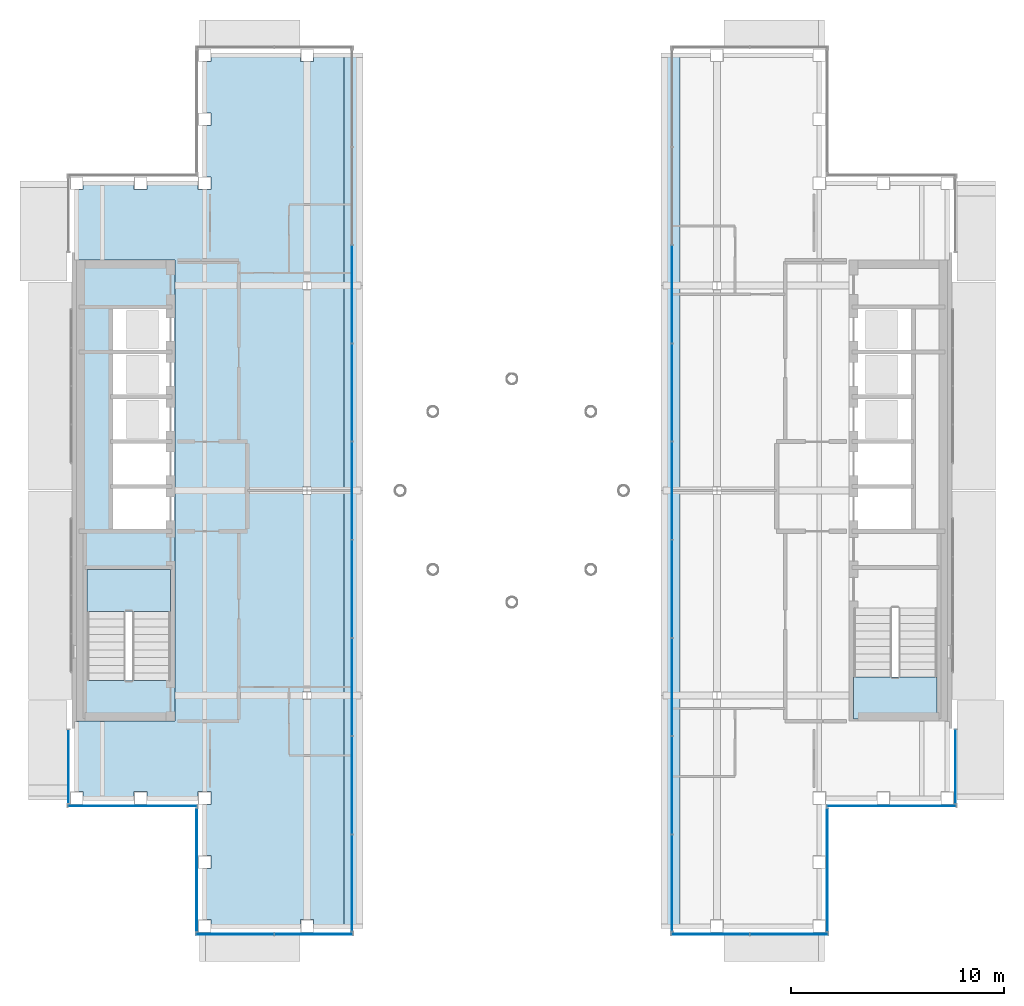
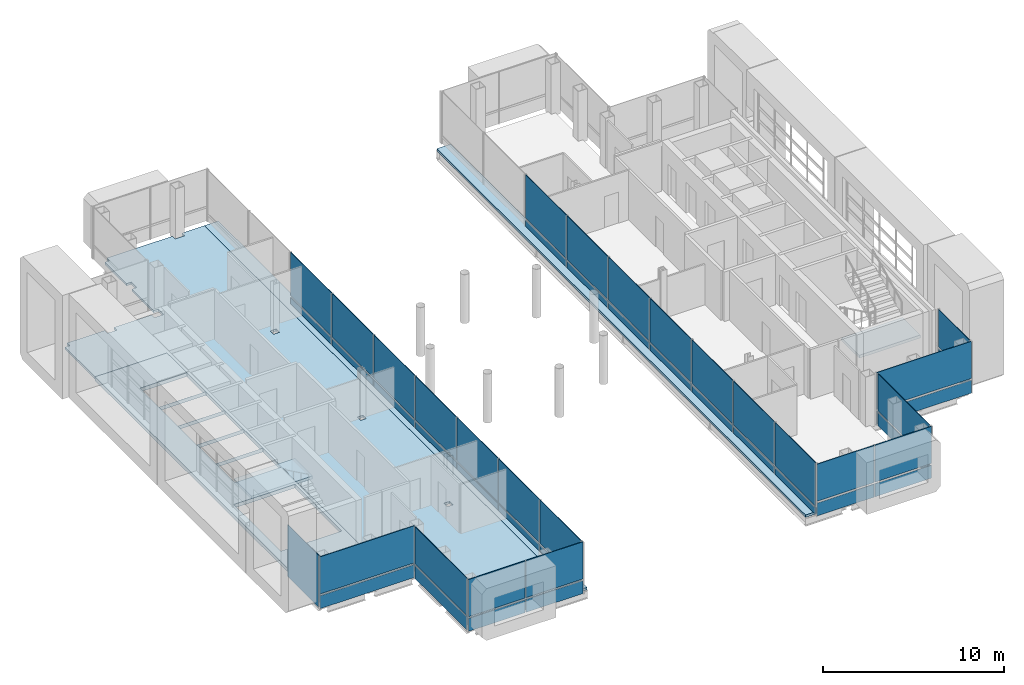
# One storey, part 9 of 21: 47 plates, 6 slabs, 12 elements without a shape of their own.
"""IFC4 building model written with IfcOpenShell, lengths in metres."""

from ifc_helpers import new_model, si_unit, direction, frame, origin, origin_2d, place, context, subcontext, project, spatial, polyline, rectangle, outline, extrude, material, layer, layer_set, type_object, element, aggregate, save


model = new_model("IFC4")

# Units and contexts
model_context = context("Model", 3, precision=1e-05, world=origin(), true_north=direction((0.0, 1.0)))
body_context = subcontext(model_context, "Body", "Model", "MODEL_VIEW")
ifc_project = project(units=[si_unit("LENGTHUNIT", "METRE"), si_unit("AREAUNIT", "SQUARE_METRE"), si_unit("VOLUMEUNIT", "CUBIC_METRE"), si_unit("PLANEANGLEUNIT", "RADIAN"), si_unit("MASSUNIT", "GRAM", prefix="KILO")], contexts=[model_context])

# Site, building, storey
site_placement = place(None, origin())
site = spatial("IfcSite", under=ifc_project, at=site_placement, CompositionType="ELEMENT")
building_placement = place(site_placement, origin())
building = spatial("IfcBuilding", under=site, at=building_placement, Name="Cobrizo Arcos Hotel Tower", CompositionType="ELEMENT")
storey_placement = place(building_placement, frame((0.0, 0.0, 269.0)))
storey = spatial("IfcBuildingStorey", under=building, at=storey_placement, Name="L71", CompositionType="ELEMENT", Elevation=269.0)

# Curtain wall, plates
ifc_material_1 = material(Name="Aluminium 6063-T6 anodised bronze", Category="aluminium")
curtain_wall_type_1 = type_object("IfcCurtainWallType", Name="CW-A guest facade", PredefinedType="NOTDEFINED", material=ifc_material_1)
curtain_wall_1_placement = place(storey_placement, origin())
curtain_wall_1 = element("IfcCurtainWall", 1, at=curtain_wall_1_placement, inside=storey, type_object=curtain_wall_type_1, Name="CW-A L71 S face", PredefinedType="NOTDEFINED")
ifc_material_2 = material(Name="Glass clear laminated low-e", Category="glass")
ifc_layer_1 = layer(ifc_material_2, 0.0400390625)
ifc_layer_set_1 = layer_set([ifc_layer_1], Name="CW-A glass panel")
plate_type_1 = type_object("IfcPlateType", Name="CW-A glass panel", PredefinedType="CURTAIN_PANEL", material=ifc_layer_set_1)
plate_1_placement = place(storey_placement, frame((9.294189453125, -20.77490234375, 0.990234375), z_axis=(0.0, 0.0, 1.0), x_axis=(1.0, 0.0, 0.0)))
plate_1 = element("IfcPlate", 2, at=plate_1_placement, type_object=plate_type_1, Name="CW-A glass panel 2229", PredefinedType="CURTAIN_PANEL", context=body_context, shape_type="SweptSolid", body=[
    extrude(rectangle(XDim=3.6240234375, YDim=0.0400390625, at=origin_2d()), origin(), (0.0, 0.0, 1.0), 2.510009765625),
])
plate_2_placement = place(storey_placement, frame((12.97802734375, -20.77490234375, 0.990234375), z_axis=(0.0, 0.0, 1.0), x_axis=(1.0, 0.0, 0.0)))
plate_2 = element("IfcPlate", 3, at=plate_2_placement, type_object=plate_type_1, Name="CW-A glass panel 2230", PredefinedType="CURTAIN_PANEL", context=body_context, shape_type="SweptSolid", body=[
    extrude(rectangle(XDim=3.6240234375, YDim=0.0400390625, at=origin_2d()), origin(), (0.0, 0.0, 1.0), 2.510009765625),
])

# Curtain wall, plate
curtain_wall_2_placement = place(storey_placement, origin())
curtain_wall_2 = element("IfcCurtainWall", 4, at=curtain_wall_2_placement, inside=storey, type_object=curtain_wall_type_1, Name="CW-A L71 E face", PredefinedType="NOTDEFINED")
plate_3_placement = place(storey_placement, frame((14.77490234375, -17.77490234375, 0.990234375), z_axis=(0.0, 0.0, 1.0), x_axis=(0.0, 1.0, 0.0)))
plate_3 = element("IfcPlate", 5, at=plate_3_placement, type_object=plate_type_1, Name="CW-A glass panel 2231", PredefinedType="CURTAIN_PANEL", context=body_context, shape_type="SweptSolid", body=[
    extrude(rectangle(XDim=5.72998046875, YDim=0.0400390625, at=origin_2d()), origin(), (0.0, 0.0, 1.0), 2.510009765625),
])

curtain_wall_3_placement = place(storey_placement, origin())
curtain_wall_3 = element("IfcCurtainWall", 6, at=curtain_wall_3_placement, inside=storey, type_object=curtain_wall_type_1, Name="CW-A L71 S face", PredefinedType="NOTDEFINED")
plate_4_placement = place(storey_placement, frame((17.77490234375, -14.77490234375, 0.990234375), z_axis=(0.0, 0.0, 1.0), x_axis=(1.0, 0.0, 0.0)))
plate_4 = element("IfcPlate", 7, at=plate_4_placement, type_object=plate_type_1, Name="CW-A glass panel 2232", PredefinedType="CURTAIN_PANEL", context=body_context, shape_type="SweptSolid", body=[
    extrude(rectangle(XDim=6.030029296875, YDim=0.0400390625, at=origin_2d()), origin(), (0.0, 0.0, 1.0), 2.510009765625),
])

curtain_wall_4_placement = place(storey_placement, origin())
curtain_wall_4 = element("IfcCurtainWall", 8, at=curtain_wall_4_placement, inside=storey, type_object=curtain_wall_type_1, Name="CW-A L71 E face", PredefinedType="NOTDEFINED")
plate_5_placement = place(storey_placement, frame((20.77490234375, -12.925048828125, 0.990234375), z_axis=(0.0, 0.0, 1.0), x_axis=(0.0, 1.0, 0.0)))
plate_5 = element("IfcPlate", 9, at=plate_5_placement, type_object=plate_type_1, Name="CW-A glass panel 2233", PredefinedType="CURTAIN_PANEL", context=body_context, shape_type="SweptSolid", body=[
    extrude(rectangle(XDim=3.429931640625, YDim=0.0400390625, at=origin_2d()), origin(), (0.0, 0.0, 1.0), 2.510009765625),
])

# Curtain wall, plates
curtain_wall_5_placement = place(storey_placement, origin())
curtain_wall_5 = element("IfcCurtainWall", 10, at=curtain_wall_5_placement, inside=storey, type_object=curtain_wall_type_1, Name="CW-A L71 S face", PredefinedType="NOTDEFINED")
plate_6_placement = place(storey_placement, frame((-12.97802734375, -20.77490234375, 0.990234375), z_axis=(0.0, 0.0, 1.0), x_axis=(1.0, 0.0, 0.0)))
plate_6 = element("IfcPlate", 11, at=plate_6_placement, type_object=plate_type_1, Name="CW-A glass panel 2237", PredefinedType="CURTAIN_PANEL", context=body_context, shape_type="SweptSolid", body=[
    extrude(rectangle(XDim=3.6240234375, YDim=0.0400390625, at=origin_2d()), origin(), (0.0, 0.0, 1.0), 2.510009765625),
])
plate_7_placement = place(storey_placement, frame((-9.294189453125, -20.77490234375, 0.990234375), z_axis=(0.0, 0.0, 1.0), x_axis=(1.0, 0.0, 0.0)))
plate_7 = element("IfcPlate", 12, at=plate_7_placement, type_object=plate_type_1, Name="CW-A glass panel 2238", PredefinedType="CURTAIN_PANEL", context=body_context, shape_type="SweptSolid", body=[
    extrude(rectangle(XDim=3.6240234375, YDim=0.0400390625, at=origin_2d()), origin(), (0.0, 0.0, 1.0), 2.510009765625),
])

# Curtain wall, plate
curtain_wall_6_placement = place(storey_placement, origin())
curtain_wall_6 = element("IfcCurtainWall", 13, at=curtain_wall_6_placement, inside=storey, type_object=curtain_wall_type_1, Name="CW-A L71 S face", PredefinedType="NOTDEFINED")
plate_8_placement = place(storey_placement, frame((-17.77490234375, -14.77490234375, 0.990234375), z_axis=(0.0, 0.0, 1.0), x_axis=(1.0, 0.0, 0.0)))
plate_8 = element("IfcPlate", 14, at=plate_8_placement, type_object=plate_type_1, Name="CW-A glass panel 2254", PredefinedType="CURTAIN_PANEL", context=body_context, shape_type="SweptSolid", body=[
    extrude(rectangle(XDim=6.030029296875, YDim=0.0400390625, at=origin_2d()), origin(), (0.0, 0.0, 1.0), 2.510009765625),
])

curtain_wall_7_placement = place(storey_placement, origin())
curtain_wall_7 = element("IfcCurtainWall", 15, at=curtain_wall_7_placement, inside=storey, type_object=curtain_wall_type_1, Name="CW-A L71 W face", PredefinedType="NOTDEFINED")
plate_9_placement = place(storey_placement, frame((-14.77490234375, -17.77490234375, 0.990234375), z_axis=(0.0, 0.0, 1.0), x_axis=(0.0, -1.0, 0.0)))
plate_9 = element("IfcPlate", 16, at=plate_9_placement, type_object=plate_type_1, Name="CW-A glass panel 2255", PredefinedType="CURTAIN_PANEL", context=body_context, shape_type="SweptSolid", body=[
    extrude(rectangle(XDim=5.72998046875, YDim=0.0400390625, at=origin_2d()), origin(), (0.0, 0.0, 1.0), 2.510009765625),
])

# Plate
ifc_material_3 = material(Name="Aluminium composite panel pale metal", Category="aluminium")
ifc_layer_2 = layer(ifc_material_3, 0.0400390625)
ifc_layer_set_2 = layer_set([ifc_layer_2], Name="CW-A spandrel panel")
plate_type_2 = type_object("IfcPlateType", Name="CW-A spandrel panel", PredefinedType="CURTAIN_PANEL", material=ifc_layer_set_2)
plate_10_placement = place(storey_placement, frame((9.294189453125, -20.77490234375, 0.0), z_axis=(0.0, 0.0, 1.0), x_axis=(1.0, 0.0, 0.0)))
plate_10 = element("IfcPlate", 17, at=plate_10_placement, type_object=plate_type_2, Name="CW-A spandrel panel 2229", PredefinedType="CURTAIN_PANEL", context=body_context, shape_type="SweptSolid", body=[
    extrude(rectangle(XDim=3.6240234375, YDim=0.0400390625, at=origin_2d()), origin(), (0.0, 0.0, 1.0), 0.8701171875),
])

plate_11_placement = place(storey_placement, frame((12.97802734375, -20.77490234375, 0.0), z_axis=(0.0, 0.0, 1.0), x_axis=(1.0, 0.0, 0.0)))
plate_11 = element("IfcPlate", 18, at=plate_11_placement, type_object=plate_type_2, Name="CW-A spandrel panel 2230", PredefinedType="CURTAIN_PANEL", context=body_context, shape_type="SweptSolid", body=[
    extrude(rectangle(XDim=3.6240234375, YDim=0.0400390625, at=origin_2d()), origin(), (0.0, 0.0, 1.0), 0.8701171875),
])

aggregate(curtain_wall_1, [plate_10, plate_1, plate_11, plate_2])

plate_12_placement = place(storey_placement, frame((14.77490234375, -17.77490234375, 0.0), z_axis=(0.0, 0.0, 1.0), x_axis=(0.0, 1.0, 0.0)))
plate_12 = element("IfcPlate", 19, at=plate_12_placement, type_object=plate_type_2, Name="CW-A spandrel panel 2231", PredefinedType="CURTAIN_PANEL", context=body_context, shape_type="SweptSolid", body=[
    extrude(rectangle(XDim=5.72998046875, YDim=0.0400390625, at=origin_2d()), origin(), (0.0, 0.0, 1.0), 0.8701171875),
])

aggregate(curtain_wall_2, [plate_12, plate_3])

plate_13_placement = place(storey_placement, frame((17.77490234375, -14.77490234375, 0.0), z_axis=(0.0, 0.0, 1.0), x_axis=(1.0, 0.0, 0.0)))
plate_13 = element("IfcPlate", 20, at=plate_13_placement, type_object=plate_type_2, Name="CW-A spandrel panel 2232", PredefinedType="CURTAIN_PANEL", context=body_context, shape_type="SweptSolid", body=[
    extrude(rectangle(XDim=6.030029296875, YDim=0.0400390625, at=origin_2d()), origin(), (0.0, 0.0, 1.0), 0.8701171875),
])

aggregate(curtain_wall_3, [plate_13, plate_4])

plate_14_placement = place(storey_placement, frame((20.77490234375, -12.925048828125, 0.0), z_axis=(0.0, 0.0, 1.0), x_axis=(0.0, 1.0, 0.0)))
plate_14 = element("IfcPlate", 21, at=plate_14_placement, type_object=plate_type_2, Name="CW-A spandrel panel 2233", PredefinedType="CURTAIN_PANEL", context=body_context, shape_type="SweptSolid", body=[
    extrude(rectangle(XDim=3.429931640625, YDim=0.0400390625, at=origin_2d()), origin(), (0.0, 0.0, 1.0), 0.8701171875),
])

aggregate(curtain_wall_4, [plate_14, plate_5])

plate_15_placement = place(storey_placement, frame((-12.97802734375, -20.77490234375, 0.0), z_axis=(0.0, 0.0, 1.0), x_axis=(1.0, 0.0, 0.0)))
plate_15 = element("IfcPlate", 22, at=plate_15_placement, type_object=plate_type_2, Name="CW-A spandrel panel 2237", PredefinedType="CURTAIN_PANEL", context=body_context, shape_type="SweptSolid", body=[
    extrude(rectangle(XDim=3.6240234375, YDim=0.0400390625, at=origin_2d()), origin(), (0.0, 0.0, 1.0), 0.8701171875),
])

plate_16_placement = place(storey_placement, frame((-9.294189453125, -20.77490234375, 0.0), z_axis=(0.0, 0.0, 1.0), x_axis=(1.0, 0.0, 0.0)))
plate_16 = element("IfcPlate", 23, at=plate_16_placement, type_object=plate_type_2, Name="CW-A spandrel panel 2238", PredefinedType="CURTAIN_PANEL", context=body_context, shape_type="SweptSolid", body=[
    extrude(rectangle(XDim=3.6240234375, YDim=0.0400390625, at=origin_2d()), origin(), (0.0, 0.0, 1.0), 0.8701171875),
])

aggregate(curtain_wall_5, [plate_15, plate_6, plate_16, plate_7])

# Curtain wall, plate
curtain_wall_8_placement = place(storey_placement, origin())
curtain_wall_8 = element("IfcCurtainWall", 24, at=curtain_wall_8_placement, inside=storey, type_object=curtain_wall_type_1, Name="CW-A L71 W face", PredefinedType="NOTDEFINED")
plate_17_placement = place(storey_placement, frame((-20.77490234375, -12.925048828125, 0.0), z_axis=(0.0, 0.0, 1.0), x_axis=(0.0, -1.0, 0.0)))
plate_17 = element("IfcPlate", 25, at=plate_17_placement, type_object=plate_type_2, Name="CW-A spandrel panel 2253", PredefinedType="CURTAIN_PANEL", context=body_context, shape_type="SweptSolid", body=[
    extrude(rectangle(XDim=3.429931640625, YDim=0.0400390625, at=origin_2d()), origin(), (0.0, 0.0, 1.0), 3.5),
])
aggregate(curtain_wall_8, [plate_17])

# Plate
plate_18_placement = place(storey_placement, frame((-17.77490234375, -14.77490234375, 0.0), z_axis=(0.0, 0.0, 1.0), x_axis=(1.0, 0.0, 0.0)))
plate_18 = element("IfcPlate", 26, at=plate_18_placement, type_object=plate_type_2, Name="CW-A spandrel panel 2254", PredefinedType="CURTAIN_PANEL", context=body_context, shape_type="SweptSolid", body=[
    extrude(rectangle(XDim=6.030029296875, YDim=0.0400390625, at=origin_2d()), origin(), (0.0, 0.0, 1.0), 0.8701171875),
])

aggregate(curtain_wall_6, [plate_18, plate_8])

plate_19_placement = place(storey_placement, frame((-14.77490234375, -17.77490234375, 0.0), z_axis=(0.0, 0.0, 1.0), x_axis=(0.0, -1.0, 0.0)))
plate_19 = element("IfcPlate", 27, at=plate_19_placement, type_object=plate_type_2, Name="CW-A spandrel panel 2255", PredefinedType="CURTAIN_PANEL", context=body_context, shape_type="SweptSolid", body=[
    extrude(rectangle(XDim=5.72998046875, YDim=0.0400390625, at=origin_2d()), origin(), (0.0, 0.0, 1.0), 0.8701171875),
])

aggregate(curtain_wall_7, [plate_19, plate_9])

# Curtain wall, plates
curtain_wall_type_2 = type_object("IfcCurtainWallType", Name="CW-C arch infill and crown glazing", PredefinedType="NOTDEFINED", material=ifc_material_1)
curtain_wall_9_placement = place(storey_placement, origin())
curtain_wall_9 = element("IfcCurtainWall", 28, at=curtain_wall_9_placement, inside=storey, type_object=curtain_wall_type_2, Name="CW-C L71 W face", PredefinedType="NOTDEFINED")
ifc_layer_3 = layer(ifc_material_2, 0.0400390625)
ifc_layer_set_3 = layer_set([ifc_layer_3], Name="CW-C glass panel")
plate_type_3 = type_object("IfcPlateType", Name="CW-C glass panel", PredefinedType="CURTAIN_PANEL", material=ifc_layer_set_3)
plate_20_placement = place(storey_placement, frame((7.4970703125, 9.199951171875, 0.0), z_axis=(0.0, 0.0, 1.0), x_axis=(0.0, -1.0, 0.0)))
plate_20 = element("IfcPlate", 29, at=plate_20_placement, type_object=plate_type_3, Name="CW-C glass panel 2222", PredefinedType="CURTAIN_PANEL", context=body_context, shape_type="SweptSolid", body=[
    extrude(rectangle(XDim=4.530029296875, YDim=0.0400390625, at=origin_2d()), origin(), (0.0, 0.0, 1.0), 0.429931640625),
])
plate_21_placement = place(storey_placement, frame((7.4970703125, 9.199951171875, 0.56982421875), z_axis=(0.0, 0.0, 1.0), x_axis=(0.0, -1.0, 0.0)))
plate_21 = element("IfcPlate", 30, at=plate_21_placement, type_object=plate_type_3, Name="CW-C glass panel 2222", PredefinedType="CURTAIN_PANEL", context=body_context, shape_type="SweptSolid", body=[
    extrude(rectangle(XDim=4.530029296875, YDim=0.0400390625, at=origin_2d()), origin(), (0.0, 0.0, 1.0), 2.929931640625),
])
plate_22_placement = place(storey_placement, frame((7.4970703125, 4.60009765625, 0.0), z_axis=(0.0, 0.0, 1.0), x_axis=(0.0, -1.0, 0.0)))
plate_22 = element("IfcPlate", 31, at=plate_22_placement, type_object=plate_type_3, Name="CW-C glass panel 2223", PredefinedType="CURTAIN_PANEL", context=body_context, shape_type="SweptSolid", body=[
    extrude(rectangle(XDim=4.530029296875, YDim=0.0400390625, at=origin_2d()), origin(), (0.0, 0.0, 1.0), 0.429931640625),
])
plate_23_placement = place(storey_placement, frame((7.4970703125, 4.60009765625, 0.56982421875), z_axis=(0.0, 0.0, 1.0), x_axis=(0.0, -1.0, 0.0)))
plate_23 = element("IfcPlate", 32, at=plate_23_placement, type_object=plate_type_3, Name="CW-C glass panel 2223", PredefinedType="CURTAIN_PANEL", context=body_context, shape_type="SweptSolid", body=[
    extrude(rectangle(XDim=4.530029296875, YDim=0.0400390625, at=origin_2d()), origin(), (0.0, 0.0, 1.0), 2.929931640625),
])
plate_24_placement = place(storey_placement, frame((7.4970703125, 0.0, 0.0), z_axis=(0.0, 0.0, 1.0), x_axis=(0.0, -1.0, 0.0)))
plate_24 = element("IfcPlate", 33, at=plate_24_placement, type_object=plate_type_3, Name="CW-C glass panel 2224", PredefinedType="CURTAIN_PANEL", context=body_context, shape_type="SweptSolid", body=[
    extrude(rectangle(XDim=4.530029296875, YDim=0.0400390625, at=origin_2d()), origin(), (0.0, 0.0, 1.0), 0.429931640625),
])
plate_25_placement = place(storey_placement, frame((7.4970703125, 0.0, 0.56982421875), z_axis=(0.0, 0.0, 1.0), x_axis=(0.0, -1.0, 0.0)))
plate_25 = element("IfcPlate", 34, at=plate_25_placement, type_object=plate_type_3, Name="CW-C glass panel 2224", PredefinedType="CURTAIN_PANEL", context=body_context, shape_type="SweptSolid", body=[
    extrude(rectangle(XDim=4.530029296875, YDim=0.0400390625, at=origin_2d()), origin(), (0.0, 0.0, 1.0), 2.929931640625),
])
plate_26_placement = place(storey_placement, frame((7.4970703125, -4.60009765625, 0.0), z_axis=(0.0, 0.0, 1.0), x_axis=(0.0, -1.0, 0.0)))
plate_26 = element("IfcPlate", 35, at=plate_26_placement, type_object=plate_type_3, Name="CW-C glass panel 2225", PredefinedType="CURTAIN_PANEL", context=body_context, shape_type="SweptSolid", body=[
    extrude(rectangle(XDim=4.530029296875, YDim=0.0400390625, at=origin_2d()), origin(), (0.0, 0.0, 1.0), 0.429931640625),
])
plate_27_placement = place(storey_placement, frame((7.4970703125, -4.60009765625, 0.56982421875), z_axis=(0.0, 0.0, 1.0), x_axis=(0.0, -1.0, 0.0)))
plate_27 = element("IfcPlate", 36, at=plate_27_placement, type_object=plate_type_3, Name="CW-C glass panel 2225", PredefinedType="CURTAIN_PANEL", context=body_context, shape_type="SweptSolid", body=[
    extrude(rectangle(XDim=4.530029296875, YDim=0.0400390625, at=origin_2d()), origin(), (0.0, 0.0, 1.0), 2.929931640625),
])
plate_28_placement = place(storey_placement, frame((7.4970703125, -9.199951171875, 0.0), z_axis=(0.0, 0.0, 1.0), x_axis=(0.0, -1.0, 0.0)))
plate_28 = element("IfcPlate", 37, at=plate_28_placement, type_object=plate_type_3, Name="CW-C glass panel 2226", PredefinedType="CURTAIN_PANEL", context=body_context, shape_type="SweptSolid", body=[
    extrude(rectangle(XDim=4.530029296875, YDim=0.0400390625, at=origin_2d()), origin(), (0.0, 0.0, 1.0), 0.429931640625),
])
plate_29_placement = place(storey_placement, frame((7.4970703125, -9.199951171875, 0.56982421875), z_axis=(0.0, 0.0, 1.0), x_axis=(0.0, -1.0, 0.0)))
plate_29 = element("IfcPlate", 38, at=plate_29_placement, type_object=plate_type_3, Name="CW-C glass panel 2226", PredefinedType="CURTAIN_PANEL", context=body_context, shape_type="SweptSolid", body=[
    extrude(rectangle(XDim=4.530029296875, YDim=0.0400390625, at=origin_2d()), origin(), (0.0, 0.0, 1.0), 2.929931640625),
])
plate_30_placement = place(storey_placement, frame((7.4970703125, -13.800048828125, 0.0), z_axis=(0.0, 0.0, 1.0), x_axis=(0.0, -1.0, 0.0)))
plate_30 = element("IfcPlate", 39, at=plate_30_placement, type_object=plate_type_3, Name="CW-C glass panel 2227", PredefinedType="CURTAIN_PANEL", context=body_context, shape_type="SweptSolid", body=[
    extrude(rectangle(XDim=4.530029296875, YDim=0.0400390625, at=origin_2d()), origin(), (0.0, 0.0, 1.0), 0.429931640625),
])
plate_31_placement = place(storey_placement, frame((7.4970703125, -13.800048828125, 0.56982421875), z_axis=(0.0, 0.0, 1.0), x_axis=(0.0, -1.0, 0.0)))
plate_31 = element("IfcPlate", 40, at=plate_31_placement, type_object=plate_type_3, Name="CW-C glass panel 2227", PredefinedType="CURTAIN_PANEL", context=body_context, shape_type="SweptSolid", body=[
    extrude(rectangle(XDim=4.530029296875, YDim=0.0400390625, at=origin_2d()), origin(), (0.0, 0.0, 1.0), 2.929931640625),
])
plate_32_placement = place(storey_placement, frame((7.4970703125, -18.382568359375, 0.0), z_axis=(0.0, 0.0, 1.0), x_axis=(0.0, -1.0, 0.0)))
plate_32 = element("IfcPlate", 41, at=plate_32_placement, type_object=plate_type_3, Name="CW-C glass panel 2228", PredefinedType="CURTAIN_PANEL", context=body_context, shape_type="SweptSolid", body=[
    extrude(rectangle(XDim=4.4951171875, YDim=0.0400390625, at=origin_2d()), origin(), (0.0, 0.0, 1.0), 0.429931640625),
])
plate_33_placement = place(storey_placement, frame((7.4970703125, -18.382568359375, 0.56982421875), z_axis=(0.0, 0.0, 1.0), x_axis=(0.0, -1.0, 0.0)))
plate_33 = element("IfcPlate", 42, at=plate_33_placement, type_object=plate_type_3, Name="CW-C glass panel 2228", PredefinedType="CURTAIN_PANEL", context=body_context, shape_type="SweptSolid", body=[
    extrude(rectangle(XDim=4.4951171875, YDim=0.0400390625, at=origin_2d()), origin(), (0.0, 0.0, 1.0), 2.929931640625),
])
aggregate(curtain_wall_9, [plate_20, plate_21, plate_22, plate_23, plate_24, plate_25, plate_26, plate_27, plate_28, plate_29, plate_30, plate_31, plate_32, plate_33])

curtain_wall_10_placement = place(storey_placement, origin())
curtain_wall_10 = element("IfcCurtainWall", 43, at=curtain_wall_10_placement, inside=storey, type_object=curtain_wall_type_2, Name="CW-C L71 E face", PredefinedType="NOTDEFINED")
plate_34_placement = place(storey_placement, frame((-7.4970703125, -18.382568359375, 0.0), z_axis=(0.0, 0.0, 1.0), x_axis=(0.0, 1.0, 0.0)))
plate_34 = element("IfcPlate", 44, at=plate_34_placement, type_object=plate_type_3, Name="CW-C glass panel 2239", PredefinedType="CURTAIN_PANEL", context=body_context, shape_type="SweptSolid", body=[
    extrude(rectangle(XDim=4.4951171875, YDim=0.0400390625, at=origin_2d()), origin(), (0.0, 0.0, 1.0), 0.429931640625),
])
plate_35_placement = place(storey_placement, frame((-7.4970703125, -18.382568359375, 0.56982421875), z_axis=(0.0, 0.0, 1.0), x_axis=(0.0, 1.0, 0.0)))
plate_35 = element("IfcPlate", 45, at=plate_35_placement, type_object=plate_type_3, Name="CW-C glass panel 2239", PredefinedType="CURTAIN_PANEL", context=body_context, shape_type="SweptSolid", body=[
    extrude(rectangle(XDim=4.4951171875, YDim=0.0400390625, at=origin_2d()), origin(), (0.0, 0.0, 1.0), 2.929931640625),
])
plate_36_placement = place(storey_placement, frame((-7.4970703125, -13.800048828125, 0.0), z_axis=(0.0, 0.0, 1.0), x_axis=(0.0, 1.0, 0.0)))
plate_36 = element("IfcPlate", 46, at=plate_36_placement, type_object=plate_type_3, Name="CW-C glass panel 2240", PredefinedType="CURTAIN_PANEL", context=body_context, shape_type="SweptSolid", body=[
    extrude(rectangle(XDim=4.530029296875, YDim=0.0400390625, at=origin_2d()), origin(), (0.0, 0.0, 1.0), 0.429931640625),
])
plate_37_placement = place(storey_placement, frame((-7.4970703125, -13.800048828125, 0.56982421875), z_axis=(0.0, 0.0, 1.0), x_axis=(0.0, 1.0, 0.0)))
plate_37 = element("IfcPlate", 47, at=plate_37_placement, type_object=plate_type_3, Name="CW-C glass panel 2240", PredefinedType="CURTAIN_PANEL", context=body_context, shape_type="SweptSolid", body=[
    extrude(rectangle(XDim=4.530029296875, YDim=0.0400390625, at=origin_2d()), origin(), (0.0, 0.0, 1.0), 2.929931640625),
])
plate_38_placement = place(storey_placement, frame((-7.4970703125, -9.199951171875, 0.0), z_axis=(0.0, 0.0, 1.0), x_axis=(0.0, 1.0, 0.0)))
plate_38 = element("IfcPlate", 48, at=plate_38_placement, type_object=plate_type_3, Name="CW-C glass panel 2241", PredefinedType="CURTAIN_PANEL", context=body_context, shape_type="SweptSolid", body=[
    extrude(rectangle(XDim=4.530029296875, YDim=0.0400390625, at=origin_2d()), origin(), (0.0, 0.0, 1.0), 0.429931640625),
])
plate_39_placement = place(storey_placement, frame((-7.4970703125, -9.199951171875, 0.56982421875), z_axis=(0.0, 0.0, 1.0), x_axis=(0.0, 1.0, 0.0)))
plate_39 = element("IfcPlate", 49, at=plate_39_placement, type_object=plate_type_3, Name="CW-C glass panel 2241", PredefinedType="CURTAIN_PANEL", context=body_context, shape_type="SweptSolid", body=[
    extrude(rectangle(XDim=4.530029296875, YDim=0.0400390625, at=origin_2d()), origin(), (0.0, 0.0, 1.0), 2.929931640625),
])
plate_40_placement = place(storey_placement, frame((-7.4970703125, -4.60009765625, 0.0), z_axis=(0.0, 0.0, 1.0), x_axis=(0.0, 1.0, 0.0)))
plate_40 = element("IfcPlate", 50, at=plate_40_placement, type_object=plate_type_3, Name="CW-C glass panel 2242", PredefinedType="CURTAIN_PANEL", context=body_context, shape_type="SweptSolid", body=[
    extrude(rectangle(XDim=4.530029296875, YDim=0.0400390625, at=origin_2d()), origin(), (0.0, 0.0, 1.0), 0.429931640625),
])
plate_41_placement = place(storey_placement, frame((-7.4970703125, -4.60009765625, 0.56982421875), z_axis=(0.0, 0.0, 1.0), x_axis=(0.0, 1.0, 0.0)))
plate_41 = element("IfcPlate", 51, at=plate_41_placement, type_object=plate_type_3, Name="CW-C glass panel 2242", PredefinedType="CURTAIN_PANEL", context=body_context, shape_type="SweptSolid", body=[
    extrude(rectangle(XDim=4.530029296875, YDim=0.0400390625, at=origin_2d()), origin(), (0.0, 0.0, 1.0), 2.929931640625),
])
plate_42_placement = place(storey_placement, frame((-7.4970703125, 0.0, 0.0), z_axis=(0.0, 0.0, 1.0), x_axis=(0.0, 1.0, 0.0)))
plate_42 = element("IfcPlate", 52, at=plate_42_placement, type_object=plate_type_3, Name="CW-C glass panel 2243", PredefinedType="CURTAIN_PANEL", context=body_context, shape_type="SweptSolid", body=[
    extrude(rectangle(XDim=4.530029296875, YDim=0.0400390625, at=origin_2d()), origin(), (0.0, 0.0, 1.0), 0.429931640625),
])
plate_43_placement = place(storey_placement, frame((-7.4970703125, 0.0, 0.56982421875), z_axis=(0.0, 0.0, 1.0), x_axis=(0.0, 1.0, 0.0)))
plate_43 = element("IfcPlate", 53, at=plate_43_placement, type_object=plate_type_3, Name="CW-C glass panel 2243", PredefinedType="CURTAIN_PANEL", context=body_context, shape_type="SweptSolid", body=[
    extrude(rectangle(XDim=4.530029296875, YDim=0.0400390625, at=origin_2d()), origin(), (0.0, 0.0, 1.0), 2.929931640625),
])
plate_44_placement = place(storey_placement, frame((-7.4970703125, 4.60009765625, 0.0), z_axis=(0.0, 0.0, 1.0), x_axis=(0.0, 1.0, 0.0)))
plate_44 = element("IfcPlate", 54, at=plate_44_placement, type_object=plate_type_3, Name="CW-C glass panel 2244", PredefinedType="CURTAIN_PANEL", context=body_context, shape_type="SweptSolid", body=[
    extrude(rectangle(XDim=4.530029296875, YDim=0.0400390625, at=origin_2d()), origin(), (0.0, 0.0, 1.0), 0.429931640625),
])
plate_45_placement = place(storey_placement, frame((-7.4970703125, 4.60009765625, 0.56982421875), z_axis=(0.0, 0.0, 1.0), x_axis=(0.0, 1.0, 0.0)))
plate_45 = element("IfcPlate", 55, at=plate_45_placement, type_object=plate_type_3, Name="CW-C glass panel 2244", PredefinedType="CURTAIN_PANEL", context=body_context, shape_type="SweptSolid", body=[
    extrude(rectangle(XDim=4.530029296875, YDim=0.0400390625, at=origin_2d()), origin(), (0.0, 0.0, 1.0), 2.929931640625),
])
plate_46_placement = place(storey_placement, frame((-7.4970703125, 9.199951171875, 0.0), z_axis=(0.0, 0.0, 1.0), x_axis=(0.0, 1.0, 0.0)))
plate_46 = element("IfcPlate", 56, at=plate_46_placement, type_object=plate_type_3, Name="CW-C glass panel 2245", PredefinedType="CURTAIN_PANEL", context=body_context, shape_type="SweptSolid", body=[
    extrude(rectangle(XDim=4.530029296875, YDim=0.0400390625, at=origin_2d()), origin(), (0.0, 0.0, 1.0), 0.429931640625),
])
plate_47_placement = place(storey_placement, frame((-7.4970703125, 9.199951171875, 0.56982421875), z_axis=(0.0, 0.0, 1.0), x_axis=(0.0, 1.0, 0.0)))
plate_47 = element("IfcPlate", 57, at=plate_47_placement, type_object=plate_type_3, Name="CW-C glass panel 2245", PredefinedType="CURTAIN_PANEL", context=body_context, shape_type="SweptSolid", body=[
    extrude(rectangle(XDim=4.530029296875, YDim=0.0400390625, at=origin_2d()), origin(), (0.0, 0.0, 1.0), 2.929931640625),
])
aggregate(curtain_wall_10, [plate_34, plate_35, plate_36, plate_37, plate_38, plate_39, plate_40, plate_41, plate_42, plate_43, plate_44, plate_45, plate_46, plate_47])

# Slabs
ifc_material_4 = material(Name="Concrete f'c 35 MPa", Category="concrete")
ifc_layer_4 = layer(ifc_material_4, 0.14990234375)
ifc_layer_set_4 = layer_set([ifc_layer_4], Name="Composite floor slab 150 f'c 35")
slab_type_1 = type_object("IfcSlabType", Name="Composite floor slab 150 f'c 35", PredefinedType="FLOOR", material=ifc_layer_set_4)
slab_1_placement = place(storey_placement, frame((0.0, 0.0, -0.14990234375)))
element("IfcSlab", 58, at=slab_1_placement, inside=storey, type_object=slab_type_1, Name="Floor slab S5, L71, no. 01", PredefinedType="FLOOR", context=body_context, shape_type="SweptSolid", body=[
    extrude(outline(polyline([(-14.39990234375, -17.699951171875), (-14.10009765625, -17.699951171875), (-14.10009765625, -17.10009765625), (-14.39990234375, -17.10009765625), (-14.39990234375, -14.699951171875), (-14.10009765625, -14.699951171875), (-14.10009765625, -14.10009765625), (-14.699951171875, -14.10009765625), (-14.699951171875, -14.39990234375), (-17.10009765625, -14.39990234375), (-17.10009765625, -14.10009765625), (-17.699951171875, -14.10009765625), (-17.699951171875, -14.39990234375), (-20.10009765625, -14.39990234375), (-20.10009765625, -14.10009765625), (-20.39990234375, -14.10009765625), (-20.39990234375, -10.800048828125), (-15.800048828125, -10.800048828125), (-15.800048828125, 10.800048828125), (-20.39990234375, 10.800048828125), (-20.39990234375, 14.10009765625), (-20.10009765625, 14.10009765625), (-20.10009765625, 14.39990234375), (-17.699951171875, 14.39990234375), (-17.699951171875, 14.10009765625), (-17.10009765625, 14.10009765625), (-17.10009765625, 14.39990234375), (-14.699951171875, 14.39990234375), (-14.699951171875, 14.10009765625), (-14.10009765625, 14.10009765625), (-14.10009765625, 14.699951171875), (-14.39990234375, 14.699951171875), (-14.39990234375, 17.10009765625), (-14.10009765625, 17.10009765625), (-14.10009765625, 17.699951171875), (-14.39990234375, 17.699951171875), (-14.39990234375, 20.10009765625), (-14.10009765625, 20.10009765625), (-14.10009765625, 20.39990234375), (-9.89990234375, 20.39990234375), (-9.89990234375, 20.10009765625), (-9.300048828125, 20.10009765625), (-9.300048828125, 20.39990234375), (-7.8720703125, 20.39990234375), (-7.8720703125, -20.39990234375), (-9.300048828125, -20.39990234375), (-9.300048828125, -20.10009765625), (-9.89990234375, -20.10009765625), (-9.89990234375, -20.39990234375), (-14.10009765625, -20.39990234375), (-14.10009765625, -20.10009765625), (-14.39990234375, -20.10009765625), (-14.39990234375, -17.699951171875)]), holes=[polyline([(-9.415771484375, -9.7841796875), (-9.415771484375, -9.415771484375), (-9.7841796875, -9.415771484375), (-9.7841796875, -9.7841796875), (-9.415771484375, -9.7841796875)]), polyline([(-9.415771484375, -0.18408203125), (-9.415771484375, 0.18408203125), (-9.7841796875, 0.18408203125), (-9.7841796875, -0.18408203125), (-9.415771484375, -0.18408203125)]), polyline([(-9.415771484375, 9.415771484375), (-9.415771484375, 9.7841796875), (-9.7841796875, 9.7841796875), (-9.7841796875, 9.415771484375), (-9.415771484375, 9.415771484375)])]), origin(), (0.0, 0.0, 1.0), 0.14990234375),
])
ifc_material_5 = material(Name="Concrete f'c 40 MPa", Category="concrete")
ifc_layer_5 = layer(ifc_material_5, 0.25)
ifc_layer_set_5 = layer_set([ifc_layer_5], Name="RC core floor slab 250 f'c 40")
slab_type_2 = type_object("IfcSlabType", Name="RC core floor slab 250 f'c 40", PredefinedType="FLOOR", material=ifc_layer_set_5)
slab_2_placement = place(storey_placement, frame((0.0, 0.0, -0.25)))
element("IfcSlab", 59, at=slab_2_placement, inside=storey, type_object=slab_type_2, Name="Core floor slab CS7, west core, L71", PredefinedType="FLOOR", context=body_context, shape_type="SweptSolid", body=[
    extrude(outline(polyline([(-20.39990234375, 10.800048828125), (-15.800048828125, 10.800048828125), (-15.800048828125, -10.800048828125), (-20.39990234375, -10.800048828125), (-20.39990234375, 10.800048828125)]), holes=[polyline([(-19.89794921875, -3.701904296875), (-19.89794921875, -8.89794921875), (-16.001953125, -8.89794921875), (-16.001953125, -3.701904296875), (-19.89794921875, -3.701904296875)]), polyline([(-18.798095703125, 0.197998046875), (-18.798095703125, -1.89794921875), (-15.802001953125, -1.89794921875), (-15.802001953125, 0.197998046875), (-18.798095703125, 0.197998046875)]), polyline([(-18.798095703125, 2.298095703125), (-18.798095703125, 0.201904296875), (-15.802001953125, 0.201904296875), (-15.802001953125, 2.298095703125), (-18.798095703125, 2.298095703125)]), polyline([(-18.798095703125, 4.39794921875), (-18.798095703125, 2.302001953125), (-15.802001953125, 2.302001953125), (-15.802001953125, 4.39794921875), (-18.798095703125, 4.39794921875)]), polyline([(-15.802001953125, 6.498046875), (-18.798095703125, 6.498046875), (-18.798095703125, 4.402099609375), (-15.802001953125, 4.402099609375), (-15.802001953125, 6.498046875)]), polyline([(-15.802001953125, 8.597900390625), (-18.798095703125, 8.597900390625), (-18.798095703125, 6.501953125), (-15.802001953125, 6.501953125), (-15.802001953125, 8.597900390625)])]), origin(), (0.0, 0.0, 1.0), 0.25),
])
ifc_layer_6 = layer(ifc_material_4, 0.14990234375)
ifc_layer_set_6 = layer_set([ifc_layer_6], Name="RC roof slab 150 f'c 35")
slab_type_3 = type_object("IfcSlabType", Name="RC roof slab 150 f'c 35", PredefinedType="ROOF", material=ifc_layer_set_6)
slab_3_placement = place(storey_placement, frame((0.0, 0.0, -0.14990234375)))
element("IfcSlab", 60, at=slab_3_placement, inside=storey, type_object=slab_type_3, Name="Roof slab RS5, L71, no. 01", PredefinedType="ROOF", context=body_context, shape_type="SweptSolid", body=[
    extrude(outline(polyline([(-7.8720703125, -20.39990234375), (-7.8720703125, 20.39990234375), (-6.97412109375, 20.39990234375), (-6.97412109375, -20.39990234375), (-7.8720703125, -20.39990234375)])), origin(), (0.0, 0.0, 1.0), 0.14990234375),
])
slab_4_placement = place(storey_placement, frame((0.0, 0.0, -0.14990234375)))
element("IfcSlab", 61, at=slab_4_placement, inside=storey, type_object=slab_type_3, Name="Roof slab RS5, L71, no. 02", PredefinedType="ROOF", context=body_context, shape_type="SweptSolid", body=[
    extrude(outline(polyline([(7.8720703125, 20.39990234375), (7.8720703125, -20.39990234375), (6.97412109375, -20.39990234375), (6.97412109375, 20.39990234375), (7.8720703125, 20.39990234375)])), origin(), (0.0, 0.0, 1.0), 0.14990234375),
])

# Stair, slab
stair_type = type_object("IfcStairType", Name="Exit stair", PredefinedType="HALF_TURN_STAIR", material=ifc_material_5)
stair_1_placement = place(storey_placement, origin())
stair_1 = element("IfcStair", 62, at=stair_1_placement, inside=storey, type_object=stair_type, Name="L71 Exit stair ST-W", PredefinedType="HALF_TURN_STAIR")
ifc_layer_7 = layer(ifc_material_5, 0.199951171875)
ifc_layer_set_7 = layer_set([ifc_layer_7], Name="Stair landing")
slab_type_4 = type_object("IfcSlabType", Name="Stair landing", PredefinedType="LANDING", material=ifc_layer_set_7)
slab_5_placement = place(storey_placement, frame((0.0, 0.0, 1.550048828125)))
slab_5 = element("IfcSlab", 63, at=slab_5_placement, type_object=slab_type_4, Name="ST-W landing 1", PredefinedType="LANDING", context=body_context, shape_type="SweptSolid", body=[
    extrude(outline(polyline([(-16.0, -5.659912109375), (-16.0, -3.699951171875), (-19.89990234375, -3.699951171875), (-19.89990234375, -5.659912109375), (-16.0, -5.659912109375)])), origin(), (0.0, 0.0, 1.0), 0.199951171875),
])
aggregate(stair_1, [slab_5])

stair_2_placement = place(storey_placement, origin())
stair_2 = element("IfcStair", 64, at=stair_2_placement, inside=storey, type_object=stair_type, Name="L71 Exit stair ST-E", PredefinedType="HALF_TURN_STAIR")
slab_6_placement = place(storey_placement, frame((0.0, 0.0, 1.550048828125)))
slab_6 = element("IfcSlab", 65, at=slab_6_placement, type_object=slab_type_4, Name="ST-E landing 1", PredefinedType="LANDING", context=body_context, shape_type="SweptSolid", body=[
    extrude(outline(polyline([(16.0, -8.739990234375), (16.0, -10.699951171875), (19.89990234375, -10.699951171875), (19.89990234375, -8.739990234375), (16.0, -8.739990234375)])), origin(), (0.0, 0.0, 1.0), 0.199951171875),
])
aggregate(stair_2, [slab_6])

save(model, "model.ifc")
